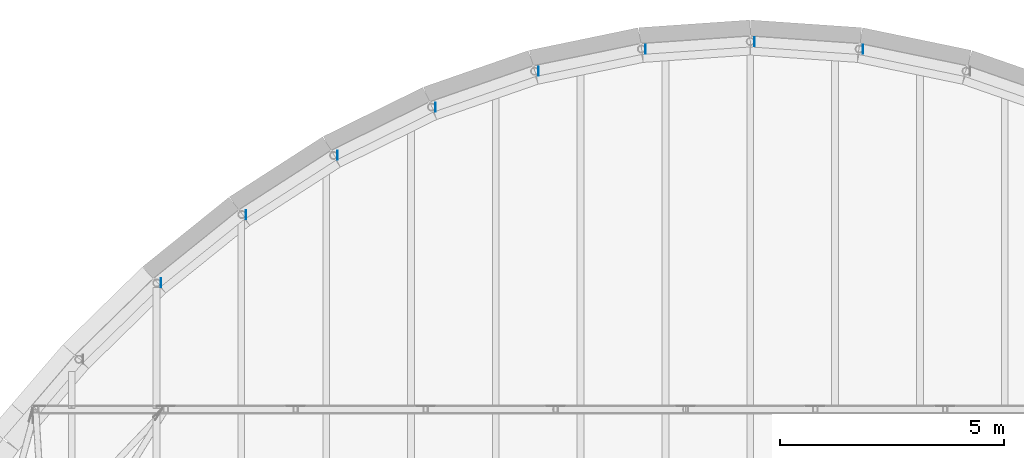
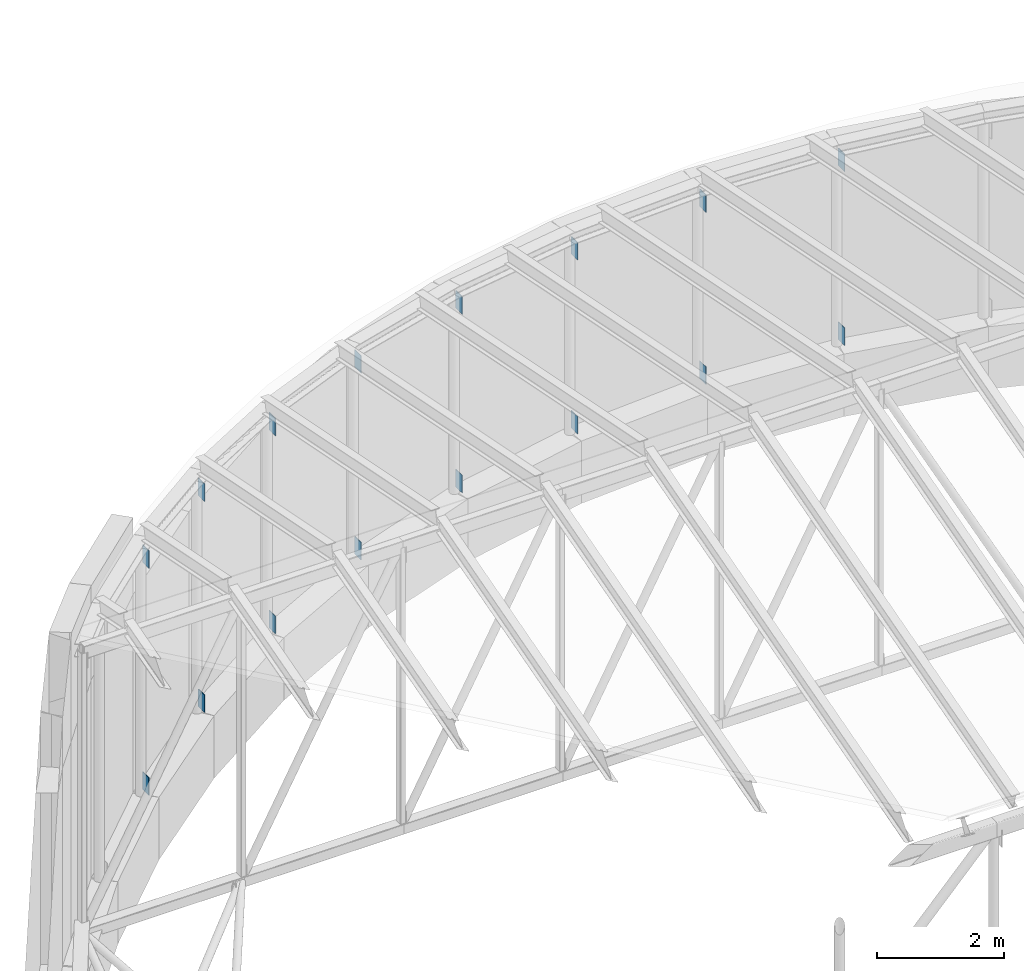
# One storey, part 64 of 68: 16 discrete accessories.
"""IFC4 building model written with IfcOpenShell, lengths in metres."""

from ifc_helpers import new_model, si_unit, direction, frame, origin, origin_2d, place, context, subcontext, project, spatial, rectangle, extrude, material, material_profile, profile_set, type_object, element, save


model = new_model("IFC4")

# Units and contexts
model_context = context("Model", 3, precision=1e-05, world=origin(), true_north=direction((0.0, 1.0)))
body_context = subcontext(model_context, "Body", "Model", "MODEL_VIEW")
ifc_project = project(units=[si_unit("LENGTHUNIT", "METRE"), si_unit("AREAUNIT", "SQUARE_METRE"), si_unit("VOLUMEUNIT", "CUBIC_METRE"), si_unit("PLANEANGLEUNIT", "RADIAN"), si_unit("MASSUNIT", "GRAM", prefix="KILO")], contexts=[model_context])

# Site, building, storey
site_placement = place(None, origin())
site = spatial("IfcSite", under=ifc_project, at=site_placement, CompositionType="ELEMENT")
building_placement = place(site_placement, origin())
building = spatial("IfcBuilding", under=site, at=building_placement, Name="Larchfold Concert Hall", CompositionType="ELEMENT")
storey_placement = place(building_placement, frame((0.0, 0.0, 28.800048828125)))
storey = spatial("IfcBuildingStorey", under=building, at=storey_placement, Name="L06", CompositionType="ELEMENT", Elevation=28.800048828125)

# Discrete accessories
ifc_material = material(Name="Steel S355 galvanised bracket", Category="steel")
ifc_material_profile = material_profile(ifc_material, rectangle(XDim=0.011962890625, YDim=0.199951171875, at=origin_2d()))
ifc_profile_set = profile_set([ifc_material_profile], Name="Steel S355 galvanised bracket")
discrete_accessory_type = type_object("IfcDiscreteAccessoryType", Name="Gusset plate 12x200", PredefinedType="BRACKET", material=ifc_profile_set)
for number, where, z_axis, x_axis, name in (
    (1, (45.11669921875, 118.432861328125, 0.0), (0.0, 0.0, 1.0), (1.0, 0.0, 0.0), "Gusset plate GP0641"),
    (2, (45.11669921875, 118.432861328125, 3.338134765625), (0.0, 0.0, 1.0), (1.0, 0.0, 0.0), "Gusset plate GP0642"),
    (3, (42.690185546875, 118.60009765625, 0.0), (0.0, 0.0, 1.0), (1.0, 0.0, 0.0), "Gusset plate GP0643"),
    (4, (42.690185546875, 118.60009765625, 3.3046875), (0.0, 0.0, 1.0), (1.0, 0.0, 0.0), "Gusset plate GP0644"),
    (5, (40.263671875, 118.432861328125, 0.0), (0.0, 0.0, 1.0), (1.0, 0.0, 0.0), "Gusset plate GP0645"),
    (6, (40.263671875, 118.432861328125, 3.338134765625), (0.0, 0.0, 1.0), (1.0, 0.0, 0.0), "Gusset plate GP0646"),
    (7, (37.882080078125, 117.93896484375, 0.0), (0.0, 0.0, 1.0), (1.0, 0.0, 0.0), "Gusset plate GP0647"),
    (8, (37.882080078125, 117.93896484375, 3.43212890625), (0.0, 0.0, 1.0), (1.0, 0.0, 0.0), "Gusset plate GP0648"),
    (9, (35.584716796875, 117.138916015625, 0.0), (0.0, 0.0, 1.0), (1.0, 0.0, 0.0), "Gusset plate GP0649"),
    (10, (35.584716796875, 117.138916015625, 3.5869140625), (0.0, 0.0, 1.0), (1.0, 0.0, 0.0), "Gusset plate GP0650"),
    (11, (33.403076171875, 116.062744140625, 0.0), (0.0, 0.0, 1.0), (1.0, 0.0, 0.0), "Gusset plate GP0651"),
    (12, (33.403076171875, 116.062744140625, 3.80224609375), (0.0, 0.0, 1.0), (1.0, 0.0, 0.0), "Gusset plate GP0652"),
    (13, (31.358154296875, 114.74462890625, 0.0), (0.0, 0.0, 1.0), (1.0, 0.0, 0.0), "Gusset plate GP0653"),
    (14, (31.358154296875, 114.74462890625, 4.055908203125), (0.0, 0.0, 1.0), (1.0, 0.0, 0.0), "Gusset plate GP0654"),
    (15, (29.462646484375, 113.218994140625, 0.0), (0.0, 0.0, 1.0), (1.0, 0.0, 0.0), "Gusset plate GP0655"),
    (16, (29.462646484375, 113.218994140625, 4.36083984375), (0.0, 0.0, 1.0), (1.0, 0.0, 0.0), "Gusset plate GP0656"),
):
    element("IfcDiscreteAccessory", number, at=place(storey_placement, frame(where, z_axis=z_axis, x_axis=x_axis)), inside=storey, type_object=discrete_accessory_type, Name=name, PredefinedType="BRACKET", context=body_context, shape_type="SweptSolid", body=[
        extrude(rectangle(XDim=0.011962890625, YDim=0.199951171875, at=origin_2d()), origin(), (0.0, 0.0, 1.0), 0.336669921875),
    ])

save(model, "model.ifc")
